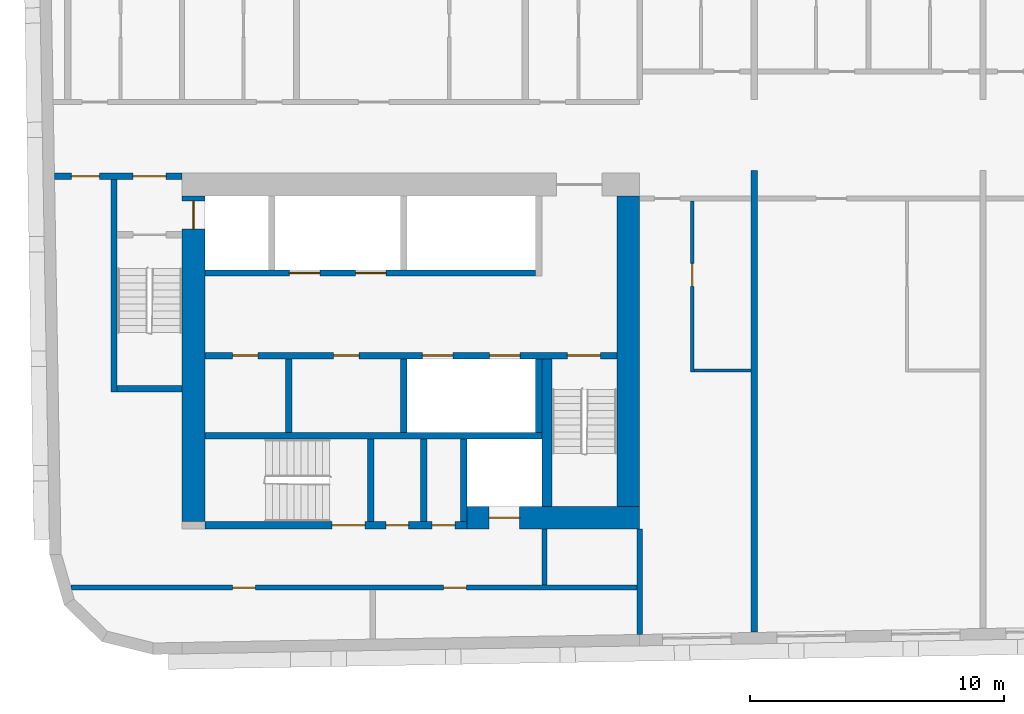
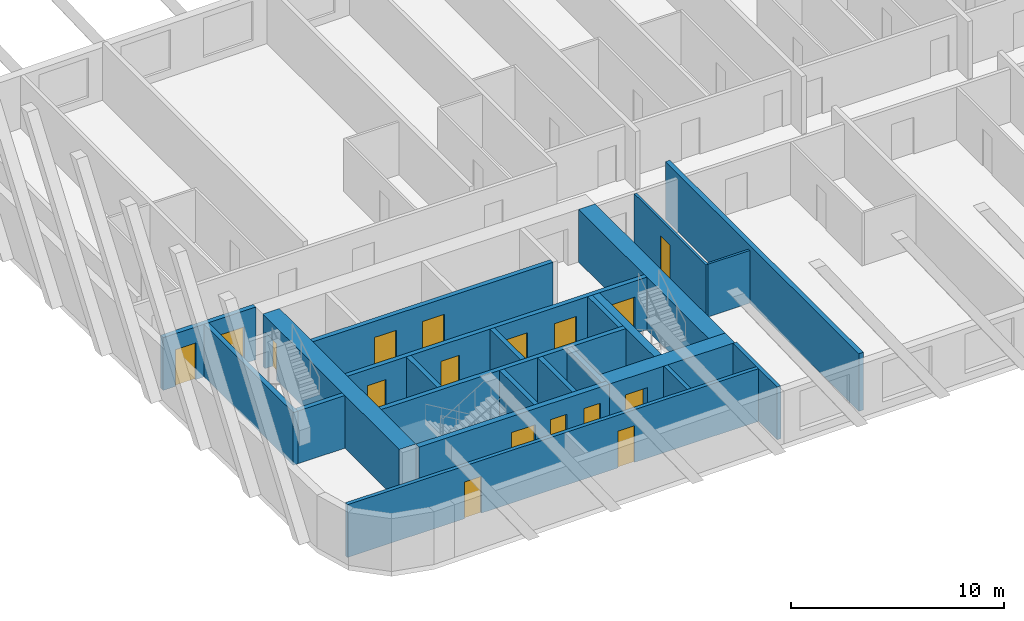
# One storey, part 2 of 12: 23 walls, 17 doors, 17 openings.
"""IFC4 building model written with IfcOpenShell, lengths in metres."""

from ifc_helpers import new_model, si_unit, direction, frame, frame_2d, origin, place, context, subcontext, project, spatial, rectangle, extrude, material, layer, layer_set, type_object, element, fill, save


model = new_model("IFC4")

# Units and contexts
model_context = context("Model", 3, precision=1e-05, world=origin(), true_north=direction((0.0, 1.0)))
body_context = subcontext(model_context, "Body", "Model", "MODEL_VIEW")
ifc_project = project(units=[si_unit("LENGTHUNIT", "METRE"), si_unit("AREAUNIT", "SQUARE_METRE"), si_unit("VOLUMEUNIT", "CUBIC_METRE"), si_unit("PLANEANGLEUNIT", "RADIAN"), si_unit("MASSUNIT", "GRAM", prefix="KILO")], contexts=[model_context])

# Site, building, storey
site_placement = place(None, origin())
site = spatial("IfcSite", under=ifc_project, at=site_placement, CompositionType="ELEMENT")
building_placement = place(site_placement, origin())
building = spatial("IfcBuilding", under=site, at=building_placement, Name="Kajstack Hotel Tower", CompositionType="ELEMENT")
storey_placement = place(building_placement, frame((0.0, 0.0, 217.699951171875)))
storey = spatial("IfcBuildingStorey", under=building, at=storey_placement, Name="L52", CompositionType="ELEMENT", Elevation=217.699951171875)

# Wall, opening, door
ifc_material_1 = material(Name="Concrete C60/75", Category="concrete")
ifc_layer_1 = layer(ifc_material_1, 0.89990234375)
ifc_layer_set_1 = layer_set([ifc_layer_1], Name="Core wall 900")
wall_type_1 = type_object("IfcWallType", Name="Core wall 900", PredefinedType="SHEAR", material=ifc_layer_set_1)
wall_1_placement = place(storey_placement, frame((-20.300048828125, -15.050048828125, 0.0), z_axis=(0.0, 0.0, 1.0), x_axis=(1.0, 0.0, 0.0)))
wall_1 = element("IfcWall", 1, at=wall_1_placement, inside=storey, type_object=wall_type_1, Name="Core wall W RS", PredefinedType="SHEAR", context=body_context, shape_type="SweptSolid", body=[
    extrude(rectangle(XDim=6.800048828125, YDim=0.89990234375, at=frame_2d((3.39990234375, 0.0))), origin(), (0.0, 0.0, 1.0), 3.02001953125),
])
opening_1_placement = place(wall_1_placement, frame((0.875, 0.0, 0.0)))
opening_1 = element("IfcOpeningElement", 2, at=opening_1_placement, cuts=wall_1, Name="Opening LD-SV1", PredefinedType="OPENING", context=body_context, shape_type="SweptSolid", body=[
    extrude(rectangle(XDim=1.199951171875, YDim=2.10009765625, at=frame_2d((0.60009765625, 1.050048828125))), frame((0.0, 0.4599609375, 0.0), z_axis=(0.0, -1.0, 0.0), x_axis=(1.0, 0.0, 0.0)), (0.0, 0.0, 1.0), 0.919921875),
])
ifc_material_2 = material(Name="Stainless steel", Category="steel")
door_type_1 = type_object("IfcDoorType", Name="Lift landing door 1200", OperationType="SLIDING_TO_LEFT", PredefinedType="DOOR", material=ifc_material_2)
door_1_placement = place(opening_1_placement, origin())
door_1 = element("IfcDoor", 3, at=door_1_placement, inside=storey, type_object=door_type_1, Name="Landing door SV1", OperationType="SLIDING_TO_LEFT", OverallHeight=2.10009765625, OverallWidth=1.199951171875, PredefinedType="DOOR", context=body_context, shape_type="SweptSolid", body=[
    extrude(rectangle(XDim=1.199951171875, YDim=2.10009765625, at=frame_2d((0.60009765625, 1.050048828125))), frame((0.0, 0.02490234375, 0.0), z_axis=(0.0, -1.0, 0.0), x_axis=(1.0, 0.0, 0.0)), (0.0, 0.0, 1.0), 0.050048828125),
])
fill(opening_1, door_1)

wall_2_placement = place(storey_placement, frame((-31.050048828125, -15.199951171875, 0.0), z_axis=(0.0, 0.0, 1.0), x_axis=(0.0, 1.0, 0.0)))
wall_2 = element("IfcWall", 4, at=wall_2_placement, inside=storey, type_object=wall_type_1, Name="Core wall W RW", PredefinedType="SHEAR", context=body_context, shape_type="SweptSolid", body=[
    extrude(rectangle(XDim=12.800048828125, YDim=0.89990234375, at=frame_2d((6.39990234375, 0.0))), origin(), (0.0, 0.0, 1.0), 3.02001953125),
])
opening_2_placement = place(wall_2_placement, frame((11.5, 0.0, 0.0)))
opening_2 = element("IfcOpeningElement", 5, at=opening_2_placement, cuts=wall_2, Name="Opening LD-FF1", PredefinedType="OPENING", context=body_context, shape_type="SweptSolid", body=[
    extrude(rectangle(XDim=1.10009765625, YDim=2.10009765625, at=frame_2d((0.550048828125, 1.050048828125))), frame((0.0, 0.4599609375, 0.0), z_axis=(0.0, -1.0, 0.0), x_axis=(1.0, 0.0, 0.0)), (0.0, 0.0, 1.0), 0.919921875),
])
door_type_2 = type_object("IfcDoorType", Name="Fire-fighting lift landing door 1100", OperationType="SLIDING_TO_LEFT", PredefinedType="DOOR", material=ifc_material_2)
door_2_placement = place(opening_2_placement, origin())
door_2 = element("IfcDoor", 6, at=door_2_placement, inside=storey, type_object=door_type_2, Name="Landing door FF1", OperationType="SLIDING_TO_RIGHT", OverallHeight=2.10009765625, OverallWidth=1.10009765625, PredefinedType="DOOR", context=body_context, shape_type="SweptSolid", body=[
    extrude(rectangle(XDim=1.10009765625, YDim=2.10009765625, at=frame_2d((0.550048828125, 1.050048828125))), frame((0.0, 0.02490234375, 0.0), z_axis=(0.0, -1.0, 0.0), x_axis=(1.0, 0.0, 0.0)), (0.0, 0.0, 1.0), 0.050048828125),
])
fill(opening_2, door_2)

# Walls
wall_3_placement = place(storey_placement, frame((-13.949951171875, -14.60009765625, 0.0), z_axis=(0.0, 0.0, 1.0), x_axis=(0.0, 1.0, 0.0)))
element("IfcWall", 7, at=wall_3_placement, inside=storey, type_object=wall_type_1, Name="Core wall W RE", PredefinedType="SHEAR", context=body_context, shape_type="SweptSolid", body=[
    extrude(rectangle(XDim=12.2001953125, YDim=0.89990234375, at=frame_2d((6.10009765625, 0.0))), origin(), (0.0, 0.0, 1.0), 3.02001953125),
])
ifc_material_3 = material(Name="Twin-frame gypsum board on steel studs, mineral wool", Category="steel")
ifc_layer_2 = layer(ifc_material_3, 0.199951171875)
ifc_layer_set_2 = layer_set([ifc_layer_2], Name="Demising wall 200")
wall_type_2 = type_object("IfcWallType", Name="Demising wall 200", PredefinedType="PARTITIONING", material=ifc_layer_set_2)
wall_4_placement = place(storey_placement, frame((-13.5, -19.64111328125, 0.0), z_axis=(0.0, 0.0, 1.0), x_axis=(0.0, 1.0, 0.0)))
element("IfcWall", 8, at=wall_4_placement, inside=storey, type_object=wall_type_2, Name="G-wall-L52-002", PredefinedType="PARTITIONING", context=body_context, shape_type="SweptSolid", body=[
    extrude(rectangle(XDim=4.14111328125, YDim=0.199951171875, at=frame_2d((2.070556640625, 0.0))), origin(), (0.0, 0.0, 1.0), 3.02001953125),
])

# Wall, opening, door
ifc_material_4 = material(Name="Gypsum board and tiled backer on steel studs", Category="steel")
ifc_layer_3 = layer(ifc_material_4, 0.125)
ifc_layer_set_3 = layer_set([ifc_layer_3], Name="En-suite wall 125")
wall_type_3 = type_object("IfcWallType", Name="En-suite wall 125", PredefinedType="PARTITIONING", material=ifc_layer_set_3)
wall_5_placement = place(storey_placement, frame((-11.43798828125, -9.324951171875, 0.0), z_axis=(0.0, 0.0, 1.0), x_axis=(0.0, 1.0, 0.0)))
wall_5 = element("IfcWall", 9, at=wall_5_placement, inside=storey, type_object=wall_type_3, Name="G-wall-L52-031", PredefinedType="PARTITIONING", context=body_context, shape_type="SweptSolid", body=[
    extrude(rectangle(XDim=6.724853515625, YDim=0.125, at=frame_2d((3.3623046875, 0.0))), origin(), (0.0, 0.0, 1.0), 3.02001953125),
])
opening_3_placement = place(wall_5_placement, frame((3.375, 0.0, 0.0)))
opening_3 = element("IfcOpeningElement", 10, at=opening_3_placement, cuts=wall_5, Name="Opening 52022", PredefinedType="OPENING", context=body_context, shape_type="SweptSolid", body=[
    extrude(rectangle(XDim=0.89990234375, YDim=2.10009765625, at=frame_2d((0.449951171875, 1.050048828125))), frame((0.0, 0.072509765625, 0.0), z_axis=(0.0, -1.0, 0.0), x_axis=(1.0, 0.0, 0.0)), (0.0, 0.0, 1.0), 0.14501953125),
])
ifc_material_5 = material(Name="Painted timber door leaf", Category="wood")
door_type_3 = type_object("IfcDoorType", Name="Room door 900", OperationType="SINGLE_SWING_LEFT", PredefinedType="DOOR", material=ifc_material_5)
door_3_placement = place(opening_3_placement, origin())
door_3 = element("IfcDoor", 11, at=door_3_placement, inside=storey, type_object=door_type_3, Name="G-door-L52-22", OperationType="SINGLE_SWING_RIGHT", OverallHeight=2.10009765625, OverallWidth=0.89990234375, PredefinedType="DOOR", context=body_context, shape_type="SweptSolid", body=[
    extrude(rectangle(XDim=0.89990234375, YDim=2.10009765625, at=frame_2d((0.449951171875, 1.050048828125))), frame((0.0, 0.02490234375, 0.0), z_axis=(0.0, -1.0, 0.0), x_axis=(1.0, 0.0, 0.0)), (0.0, 0.0, 1.0), 0.050048828125),
])
fill(opening_3, door_3)

# Walls
wall_6_placement = place(storey_placement, frame((-11.375, -9.261962890625, 0.0), z_axis=(0.0, 0.0, 1.0), x_axis=(1.0, 0.0, 0.0)))
element("IfcWall", 12, at=wall_6_placement, inside=storey, type_object=wall_type_3, Name="G-wall-L52-032", PredefinedType="PARTITIONING", context=body_context, shape_type="SweptSolid", body=[
    extrude(rectangle(XDim=2.25, YDim=0.125, at=frame_2d((1.125, 0.0))), origin(), (0.0, 0.0, 1.0), 3.02001953125),
])
ifc_material_6 = material(Name="Concrete C50/60", Category="concrete")
ifc_layer_4 = layer(ifc_material_6, 0.300048828125)
ifc_layer_set_4 = layer_set([ifc_layer_4], Name="Hoistway divider wall 300")
wall_type_4 = type_object("IfcWallType", Name="Hoistway divider wall 300", PredefinedType="SHEAR", material=ifc_layer_set_4)
wall_7_placement = place(storey_placement, frame((-22.77490234375, -11.699951171875, 0.0), z_axis=(0.0, 0.0, 1.0), x_axis=(0.0, 1.0, 0.0)))
element("IfcWall", 13, at=wall_7_placement, inside=storey, type_object=wall_type_4, Name="Core wall W BP2", PredefinedType="SHEAR", context=body_context, shape_type="SweptSolid", body=[
    extrude(rectangle(XDim=2.89990234375, YDim=0.25, at=frame_2d((1.449951171875, 0.0))), origin(), (0.0, 0.0, 1.0), 3.02001953125),
])
ifc_material_7 = material(Name="Concrete C45/55", Category="concrete")
ifc_layer_5 = layer(ifc_material_7, 0.25)
ifc_layer_set_5 = layer_set([ifc_layer_5], Name="RC cross wall 250 C45/55")
wall_type_5 = type_object("IfcWallType", Name="RC cross wall 250 C45/55", PredefinedType="SHEAR", material=ifc_layer_set_5)
wall_8_placement = place(storey_placement, frame((-9.0, -19.55029296875, 0.0), z_axis=(0.0, 0.0, 1.0), x_axis=(0.0, 1.0, 0.0)))
element("IfcWall", 14, at=wall_8_placement, inside=storey, type_object=wall_type_5, Name="S-wall-L52-04", PredefinedType="SHEAR", context=body_context, shape_type="SweptSolid", body=[
    extrude(rectangle(XDim=18.150390625, YDim=0.25, at=frame_2d((9.0751953125, 0.0))), origin(), (0.0, 0.0, 1.0), 3.300048828125),
])
ifc_material_8 = material(Name="Concrete block masonry", Category="masonry")
ifc_layer_6 = layer(ifc_material_8, 0.25)
ifc_layer_set_6 = layer_set([ifc_layer_6], Name="Riser partition 250")
wall_type_6 = type_object("IfcWallType", Name="Riser partition 250", PredefinedType="PARTITIONING", material=ifc_layer_set_6)
wall_9_placement = place(storey_placement, frame((-27.300048828125, -11.699951171875, 0.0), z_axis=(0.0, 0.0, 1.0), x_axis=(0.0, 1.0, 0.0)))
element("IfcWall", 15, at=wall_9_placement, inside=storey, type_object=wall_type_6, Name="Partition W BF0", PredefinedType="PARTITIONING", context=body_context, shape_type="SweptSolid", body=[
    extrude(rectangle(XDim=2.89990234375, YDim=0.25, at=frame_2d((1.449951171875, 0.0))), origin(), (0.0, 0.0, 1.0), 3.02001953125),
])
wall_10_placement = place(storey_placement, frame((-22.0, -15.199951171875, 0.0), z_axis=(0.0, 0.0, 1.0), x_axis=(0.0, 1.0, 0.0)))
element("IfcWall", 16, at=wall_10_placement, inside=storey, type_object=wall_type_6, Name="Partition W SZ0", PredefinedType="PARTITIONING", context=body_context, shape_type="SweptSolid", body=[
    extrude(rectangle(XDim=3.25, YDim=0.25, at=frame_2d((1.625, 0.0))), origin(), (0.0, 0.0, 1.0), 3.02001953125),
])

# Wall, openings, doors
ifc_material_9 = material(Name="Gypsum board on steel studs, mineral wool", Category="steel")
ifc_layer_7 = layer(ifc_material_9, 0.199951171875)
ifc_layer_set_7 = layer_set([ifc_layer_7], Name="Service partition 200")
wall_type_7 = type_object("IfcWallType", Name="Service partition 200", PredefinedType="PARTITIONING", material=ifc_layer_set_7)
wall_11_placement = place(storey_placement, frame((-36.515380859375, -1.625, 0.0), z_axis=(0.0, 0.0, 1.0), x_axis=(1.0, 0.0, 0.0)))
wall_11 = element("IfcWall", 17, at=wall_11_placement, inside=storey, type_object=wall_type_7, Name="Partition W SN", PredefinedType="PARTITIONING", context=body_context, shape_type="SweptSolid", body=[
    extrude(rectangle(XDim=5.015380859375, YDim=0.25, at=frame_2d((2.5078125, 0.0))), origin(), (0.0, 0.0, 1.0), 3.02001953125),
])
opening_4_placement = place(wall_11_placement, frame((3.09033203125, 0.0, 0.0)))
opening_4 = element("IfcOpeningElement", 18, at=opening_4_placement, cuts=wall_11, Name="Opening 52W08", PredefinedType="OPENING", context=body_context, shape_type="SweptSolid", body=[
    extrude(rectangle(XDim=1.300048828125, YDim=2.10009765625, at=frame_2d((0.64990234375, 1.050048828125))), frame((0.0, 0.135009765625, 0.0), z_axis=(0.0, -1.0, 0.0), x_axis=(1.0, 0.0, 0.0)), (0.0, 0.0, 1.0), 0.27001953125),
])
opening_5_placement = place(wall_11_placement, frame((0.665283203125, 0.0, 0.0)))
opening_5 = element("IfcOpeningElement", 19, at=opening_5_placement, cuts=wall_11, Name="Opening 52W10", PredefinedType="OPENING", context=body_context, shape_type="SweptSolid", body=[
    extrude(rectangle(XDim=1.10009765625, YDim=2.10009765625, at=frame_2d((0.550048828125, 1.050048828125))), frame((0.0, 0.135009765625, 0.0), z_axis=(0.0, -1.0, 0.0), x_axis=(1.0, 0.0, 0.0)), (0.0, 0.0, 1.0), 0.27001953125),
])
ifc_material_10 = material(Name="Steel leaf, fire-rated", Category="steel")
door_type_4 = type_object("IfcDoorType", Name="Fire lobby door 1300", OperationType="SINGLE_SWING_LEFT", PredefinedType="DOOR", material=ifc_material_10)
door_4_placement = place(opening_4_placement, origin())
door_4 = element("IfcDoor", 20, at=door_4_placement, inside=storey, type_object=door_type_4, Name="Door 52W08", OperationType="SINGLE_SWING_RIGHT", OverallHeight=2.10009765625, OverallWidth=1.300048828125, PredefinedType="DOOR", context=body_context, shape_type="SweptSolid", body=[
    extrude(rectangle(XDim=1.300048828125, YDim=2.10009765625, at=frame_2d((0.64990234375, 1.050048828125))), frame((0.0, 0.02490234375, 0.0), z_axis=(0.0, -1.0, 0.0), x_axis=(1.0, 0.0, 0.0)), (0.0, 0.0, 1.0), 0.050048828125),
])
fill(opening_4, door_4)
ifc_material_11 = material(Name="Timber leaf, fire-rated", Category="wood")
door_type_5 = type_object("IfcDoorType", Name="Service corridor door 1100", OperationType="SINGLE_SWING_LEFT", PredefinedType="DOOR", material=ifc_material_11)
door_5_placement = place(opening_5_placement, origin())
door_5 = element("IfcDoor", 21, at=door_5_placement, inside=storey, type_object=door_type_5, Name="Door 52W10", OperationType="SINGLE_SWING_RIGHT", OverallHeight=2.10009765625, OverallWidth=1.10009765625, PredefinedType="DOOR", context=body_context, shape_type="SweptSolid", body=[
    extrude(rectangle(XDim=1.10009765625, YDim=2.10009765625, at=frame_2d((0.550048828125, 1.050048828125))), frame((0.0, 0.02490234375, 0.0), z_axis=(0.0, -1.0, 0.0), x_axis=(1.0, 0.0, 0.0)), (0.0, 0.0, 1.0), 0.050048828125),
])
fill(opening_5, door_5)

# Wall
wall_12_placement = place(storey_placement, frame((-17.25, -17.699951171875, 0.0), z_axis=(0.0, 0.0, 1.0), x_axis=(0.0, 1.0, 0.0)))
element("IfcWall", 22, at=wall_12_placement, inside=storey, type_object=wall_type_7, Name="Partition W SCE", PredefinedType="PARTITIONING", context=body_context, shape_type="SweptSolid", body=[
    extrude(rectangle(XDim=2.199951171875, YDim=0.199951171875, at=frame_2d((1.10009765625, 0.0))), origin(), (0.0, 0.0, 1.0), 3.02001953125),
])

# Wall, openings, doors
wall_13_placement = place(storey_placement, frame((-35.86376953125, -17.800048828125, 0.0), z_axis=(0.0, 0.0, 1.0), x_axis=(1.0, 0.0, 0.0)))
wall_13 = element("IfcWall", 23, at=wall_13_placement, inside=storey, type_object=wall_type_7, Name="Partition W SLN", PredefinedType="PARTITIONING", context=body_context, shape_type="SweptSolid", body=[
    extrude(rectangle(XDim=22.263671875, YDim=0.199951171875, at=frame_2d((11.1318359375, 0.0))), origin(), (0.0, 0.0, 1.0), 3.02001953125),
])
opening_6_placement = place(wall_13_placement, frame((6.351318359375, 0.0, 0.0)))
opening_6 = element("IfcOpeningElement", 24, at=opening_6_placement, cuts=wall_13, Name="Opening 52W17", PredefinedType="OPENING", context=body_context, shape_type="SweptSolid", body=[
    extrude(rectangle(XDim=0.89990234375, YDim=2.10009765625, at=frame_2d((0.449951171875, 1.050048828125))), frame((0.0, 0.10986328125, 0.0), z_axis=(0.0, -1.0, 0.0), x_axis=(1.0, 0.0, 0.0)), (0.0, 0.0, 1.0), 0.219970703125),
])
opening_7_placement = place(wall_13_placement, frame((14.651123046875, 0.0, 0.0)))
opening_7 = element("IfcOpeningElement", 25, at=opening_7_placement, cuts=wall_13, Name="Opening 52W18", PredefinedType="OPENING", context=body_context, shape_type="SweptSolid", body=[
    extrude(rectangle(XDim=0.89990234375, YDim=2.10009765625, at=frame_2d((0.449951171875, 1.050048828125))), frame((0.0, 0.10986328125, 0.0), z_axis=(0.0, -1.0, 0.0), x_axis=(1.0, 0.0, 0.0)), (0.0, 0.0, 1.0), 0.219970703125),
])
door_type_6 = type_object("IfcDoorType", Name="Service door 900", OperationType="SINGLE_SWING_LEFT", PredefinedType="DOOR", material=ifc_material_11)
door_6_placement = place(opening_6_placement, origin())
door_6 = element("IfcDoor", 26, at=door_6_placement, inside=storey, type_object=door_type_6, Name="Door 52W17", OperationType="SINGLE_SWING_RIGHT", OverallHeight=2.10009765625, OverallWidth=0.89990234375, PredefinedType="DOOR", context=body_context, shape_type="SweptSolid", body=[
    extrude(rectangle(XDim=0.89990234375, YDim=2.10009765625, at=frame_2d((0.449951171875, 1.050048828125))), frame((0.0, 0.02490234375, 0.0), z_axis=(0.0, -1.0, 0.0), x_axis=(1.0, 0.0, 0.0)), (0.0, 0.0, 1.0), 0.050048828125),
])
fill(opening_6, door_6)
door_7_placement = place(opening_7_placement, origin())
door_7 = element("IfcDoor", 27, at=door_7_placement, inside=storey, type_object=door_type_6, Name="Door 52W18", OperationType="SINGLE_SWING_RIGHT", OverallHeight=2.10009765625, OverallWidth=0.89990234375, PredefinedType="DOOR", context=body_context, shape_type="SweptSolid", body=[
    extrude(rectangle(XDim=0.89990234375, YDim=2.10009765625, at=frame_2d((0.449951171875, 1.050048828125))), frame((0.0, 0.02490234375, 0.0), z_axis=(0.0, -1.0, 0.0), x_axis=(1.0, 0.0, 0.0)), (0.0, 0.0, 1.0), 0.050048828125),
])
fill(opening_7, door_7)

ifc_layer_8 = layer(ifc_material_6, 0.25)
ifc_layer_set_8 = layer_set([ifc_layer_8], Name="Shaft wall 250")
wall_type_8 = type_object("IfcWallType", Name="Shaft wall 250", PredefinedType="SHEAR", material=ifc_layer_set_8)
wall_14_placement = place(storey_placement, frame((-30.60009765625, -15.35009765625, 0.0), z_axis=(0.0, 0.0, 1.0), x_axis=(1.0, 0.0, 0.0)))
wall_14 = element("IfcWall", 28, at=wall_14_placement, inside=storey, type_object=wall_type_8, Name="Core wall W RSS", PredefinedType="SHEAR", context=body_context, shape_type="SweptSolid", body=[
    extrude(rectangle(XDim=10.300048828125, YDim=0.300048828125, at=frame_2d((5.14990234375, 0.0))), origin(), (0.0, 0.0, 1.0), 3.02001953125),
])
opening_8_placement = place(wall_14_placement, frame((5.0, 0.0, 0.0)))
opening_8 = element("IfcOpeningElement", 29, at=opening_8_placement, cuts=wall_14, Name="Opening 52W12", PredefinedType="OPENING", context=body_context, shape_type="SweptSolid", body=[
    extrude(rectangle(XDim=1.300048828125, YDim=2.10009765625, at=frame_2d((0.64990234375, 1.050048828125))), frame((0.0, 0.159912109375, 0.0), z_axis=(0.0, -1.0, 0.0), x_axis=(1.0, 0.0, 0.0)), (0.0, 0.0, 1.0), 0.320068359375),
])
opening_9_placement = place(wall_14_placement, frame((7.112548828125, 0.0, 0.0)))
opening_9 = element("IfcOpeningElement", 30, at=opening_9_placement, cuts=wall_14, Name="Opening 52W13", PredefinedType="OPENING", context=body_context, shape_type="SweptSolid", body=[
    extrude(rectangle(XDim=0.89990234375, YDim=2.10009765625, at=frame_2d((0.449951171875, 1.050048828125))), frame((0.0, 0.159912109375, 0.0), z_axis=(0.0, -1.0, 0.0), x_axis=(1.0, 0.0, 0.0)), (0.0, 0.0, 1.0), 0.320068359375),
])
opening_10_placement = place(wall_14_placement, frame((8.9375, 0.0, 0.0)))
opening_10 = element("IfcOpeningElement", 31, at=opening_10_placement, cuts=wall_14, Name="Opening 52W14", PredefinedType="OPENING", context=body_context, shape_type="SweptSolid", body=[
    extrude(rectangle(XDim=0.89990234375, YDim=2.10009765625, at=frame_2d((0.449951171875, 1.050048828125))), frame((0.0, 0.159912109375, 0.0), z_axis=(0.0, -1.0, 0.0), x_axis=(1.0, 0.0, 0.0)), (0.0, 0.0, 1.0), 0.320068359375),
])
door_8_placement = place(opening_9_placement, origin())
door_8 = element("IfcDoor", 32, at=door_8_placement, inside=storey, type_object=door_type_6, Name="Door 52W13", OperationType="SINGLE_SWING_LEFT", OverallHeight=2.10009765625, OverallWidth=0.89990234375, PredefinedType="DOOR", context=body_context, shape_type="SweptSolid", body=[
    extrude(rectangle(XDim=0.89990234375, YDim=2.10009765625, at=frame_2d((0.449951171875, 1.050048828125))), frame((0.0, 0.02490234375, 0.0), z_axis=(0.0, -1.0, 0.0), x_axis=(1.0, 0.0, 0.0)), (0.0, 0.0, 1.0), 0.050048828125),
])
fill(opening_9, door_8)
door_9_placement = place(opening_10_placement, origin())
door_9 = element("IfcDoor", 33, at=door_9_placement, inside=storey, type_object=door_type_6, Name="Door 52W14", OperationType="SINGLE_SWING_LEFT", OverallHeight=2.10009765625, OverallWidth=0.89990234375, PredefinedType="DOOR", context=body_context, shape_type="SweptSolid", body=[
    extrude(rectangle(XDim=0.89990234375, YDim=2.10009765625, at=frame_2d((0.449951171875, 1.050048828125))), frame((0.0, 0.02490234375, 0.0), z_axis=(0.0, -1.0, 0.0), x_axis=(1.0, 0.0, 0.0)), (0.0, 0.0, 1.0), 0.050048828125),
])
fill(opening_10, door_9)
door_type_7 = type_object("IfcDoorType", Name="Stair door 1300", OperationType="SINGLE_SWING_LEFT", PredefinedType="DOOR", material=ifc_material_10)
door_10_placement = place(opening_8_placement, origin())
door_10 = element("IfcDoor", 34, at=door_10_placement, inside=storey, type_object=door_type_7, Name="Door 52W12", OperationType="SINGLE_SWING_RIGHT", OverallHeight=2.10009765625, OverallWidth=1.300048828125, PredefinedType="DOOR", context=body_context, shape_type="SweptSolid", body=[
    extrude(rectangle(XDim=1.300048828125, YDim=2.10009765625, at=frame_2d((0.64990234375, 1.050048828125))), frame((0.0, 0.02490234375, 0.0), z_axis=(0.0, -1.0, 0.0), x_axis=(1.0, 0.0, 0.0)), (0.0, 0.0, 1.0), 0.050048828125),
])
fill(opening_8, door_10)

wall_15_placement = place(storey_placement, frame((-30.60009765625, -5.425048828125, 0.0), z_axis=(0.0, 0.0, 1.0), x_axis=(1.0, 0.0, 0.0)))
wall_15 = element("IfcWall", 35, at=wall_15_placement, inside=storey, type_object=wall_type_8, Name="Core wall W FA", PredefinedType="SHEAR", context=body_context, shape_type="SweptSolid", body=[
    extrude(rectangle(XDim=13.0, YDim=0.25, at=frame_2d((6.5, 0.0))), origin(), (0.0, 0.0, 1.0), 3.02001953125),
])
opening_11_placement = place(wall_15_placement, frame((3.324951171875, 0.0, 0.0)))
opening_11 = element("IfcOpeningElement", 36, at=opening_11_placement, cuts=wall_15, Name="Opening LD-MR3", PredefinedType="OPENING", context=body_context, shape_type="SweptSolid", body=[
    extrude(rectangle(XDim=1.199951171875, YDim=2.10009765625, at=frame_2d((0.60009765625, 1.050048828125))), frame((0.0, 0.135009765625, 0.0), z_axis=(0.0, -1.0, 0.0), x_axis=(1.0, 0.0, 0.0)), (0.0, 0.0, 1.0), 0.27001953125),
])
opening_12_placement = place(wall_15_placement, frame((5.925048828125, 0.0, 0.0)))
opening_12 = element("IfcOpeningElement", 37, at=opening_12_placement, cuts=wall_15, Name="Opening LD-MR4", PredefinedType="OPENING", context=body_context, shape_type="SweptSolid", body=[
    extrude(rectangle(XDim=1.199951171875, YDim=2.10009765625, at=frame_2d((0.60009765625, 1.050048828125))), frame((0.0, 0.135009765625, 0.0), z_axis=(0.0, -1.0, 0.0), x_axis=(1.0, 0.0, 0.0)), (0.0, 0.0, 1.0), 0.27001953125),
])
door_11_placement = place(opening_11_placement, origin())
door_11 = element("IfcDoor", 38, at=door_11_placement, inside=storey, type_object=door_type_1, Name="Landing door MR3", OperationType="SLIDING_TO_RIGHT", OverallHeight=2.10009765625, OverallWidth=1.199951171875, PredefinedType="DOOR", context=body_context, shape_type="SweptSolid", body=[
    extrude(rectangle(XDim=1.199951171875, YDim=2.10009765625, at=frame_2d((0.60009765625, 1.050048828125))), frame((0.0, 0.02490234375, 0.0), z_axis=(0.0, -1.0, 0.0), x_axis=(1.0, 0.0, 0.0)), (0.0, 0.0, 1.0), 0.050048828125),
])
fill(opening_11, door_11)
door_12_placement = place(opening_12_placement, origin())
door_12 = element("IfcDoor", 39, at=door_12_placement, inside=storey, type_object=door_type_1, Name="Landing door MR4", OperationType="SLIDING_TO_RIGHT", OverallHeight=2.10009765625, OverallWidth=1.199951171875, PredefinedType="DOOR", context=body_context, shape_type="SweptSolid", body=[
    extrude(rectangle(XDim=1.199951171875, YDim=2.10009765625, at=frame_2d((0.60009765625, 1.050048828125))), frame((0.0, 0.02490234375, 0.0), z_axis=(0.0, -1.0, 0.0), x_axis=(1.0, 0.0, 0.0)), (0.0, 0.0, 1.0), 0.050048828125),
])
fill(opening_12, door_12)

wall_16_placement = place(storey_placement, frame((-30.60009765625, -8.675048828125, 0.0), z_axis=(0.0, 0.0, 1.0), x_axis=(1.0, 0.0, 0.0)))
wall_16 = element("IfcWall", 40, at=wall_16_placement, inside=storey, type_object=wall_type_8, Name="Core wall W FB", PredefinedType="SHEAR", context=body_context, shape_type="SweptSolid", body=[
    extrude(rectangle(XDim=16.2001953125, YDim=0.25, at=frame_2d((8.10009765625, 0.0))), origin(), (0.0, 0.0, 1.0), 3.02001953125),
])
opening_13_placement = place(wall_16_placement, frame((8.550048828125, 0.0, 0.0)))
opening_13 = element("IfcOpeningElement", 41, at=opening_13_placement, cuts=wall_16, Name="Opening LD-MR1", PredefinedType="OPENING", context=body_context, shape_type="SweptSolid", body=[
    extrude(rectangle(XDim=1.199951171875, YDim=2.10009765625, at=frame_2d((0.60009765625, 1.050048828125))), frame((0.0, 0.135009765625, 0.0), z_axis=(0.0, -1.0, 0.0), x_axis=(1.0, 0.0, 0.0)), (0.0, 0.0, 1.0), 0.27001953125),
])
opening_14_placement = place(wall_16_placement, frame((11.199951171875, 0.0, 0.0)))
opening_14 = element("IfcOpeningElement", 42, at=opening_14_placement, cuts=wall_16, Name="Opening LD-MR2", PredefinedType="OPENING", context=body_context, shape_type="SweptSolid", body=[
    extrude(rectangle(XDim=1.199951171875, YDim=2.10009765625, at=frame_2d((0.60009765625, 1.050048828125))), frame((0.0, 0.135009765625, 0.0), z_axis=(0.0, -1.0, 0.0), x_axis=(1.0, 0.0, 0.0)), (0.0, 0.0, 1.0), 0.27001953125),
])
opening_15_placement = place(wall_16_placement, frame((14.25, 0.0, 0.0)))
opening_15 = element("IfcOpeningElement", 43, at=opening_15_placement, cuts=wall_16, Name="Opening 52W11", PredefinedType="OPENING", context=body_context, shape_type="SweptSolid", body=[
    extrude(rectangle(XDim=1.300048828125, YDim=2.10009765625, at=frame_2d((0.64990234375, 1.050048828125))), frame((0.0, 0.135009765625, 0.0), z_axis=(0.0, -1.0, 0.0), x_axis=(1.0, 0.0, 0.0)), (0.0, 0.0, 1.0), 0.27001953125),
])
opening_16_placement = place(wall_16_placement, frame((1.08740234375, 0.0, 0.0)))
opening_16 = element("IfcOpeningElement", 44, at=opening_16_placement, cuts=wall_16, Name="Opening 52W15", PredefinedType="OPENING", context=body_context, shape_type="SweptSolid", body=[
    extrude(rectangle(XDim=1.0, YDim=2.10009765625, at=frame_2d((0.5, 1.050048828125))), frame((0.0, 0.135009765625, 0.0), z_axis=(0.0, -1.0, 0.0), x_axis=(1.0, 0.0, 0.0)), (0.0, 0.0, 1.0), 0.27001953125),
])
opening_17_placement = place(wall_16_placement, frame((5.0625, 0.0, 0.0)))
opening_17 = element("IfcOpeningElement", 45, at=opening_17_placement, cuts=wall_16, Name="Opening 52W16", PredefinedType="OPENING", context=body_context, shape_type="SweptSolid", body=[
    extrude(rectangle(XDim=1.0, YDim=2.10009765625, at=frame_2d((0.5, 1.050048828125))), frame((0.0, 0.135009765625, 0.0), z_axis=(0.0, -1.0, 0.0), x_axis=(1.0, 0.0, 0.0)), (0.0, 0.0, 1.0), 0.27001953125),
])
door_13_placement = place(opening_13_placement, origin())
door_13 = element("IfcDoor", 46, at=door_13_placement, inside=storey, type_object=door_type_1, Name="Landing door MR1", OperationType="SLIDING_TO_LEFT", OverallHeight=2.10009765625, OverallWidth=1.199951171875, PredefinedType="DOOR", context=body_context, shape_type="SweptSolid", body=[
    extrude(rectangle(XDim=1.199951171875, YDim=2.10009765625, at=frame_2d((0.60009765625, 1.050048828125))), frame((0.0, 0.02490234375, 0.0), z_axis=(0.0, -1.0, 0.0), x_axis=(1.0, 0.0, 0.0)), (0.0, 0.0, 1.0), 0.050048828125),
])
fill(opening_13, door_13)
door_14_placement = place(opening_14_placement, origin())
door_14 = element("IfcDoor", 47, at=door_14_placement, inside=storey, type_object=door_type_1, Name="Landing door MR2", OperationType="SLIDING_TO_RIGHT", OverallHeight=2.10009765625, OverallWidth=1.199951171875, PredefinedType="DOOR", context=body_context, shape_type="SweptSolid", body=[
    extrude(rectangle(XDim=1.199951171875, YDim=2.10009765625, at=frame_2d((0.60009765625, 1.050048828125))), frame((0.0, 0.02490234375, 0.0), z_axis=(0.0, -1.0, 0.0), x_axis=(1.0, 0.0, 0.0)), (0.0, 0.0, 1.0), 0.050048828125),
])
fill(opening_14, door_14)
door_type_8 = type_object("IfcDoorType", Name="Service room door 1000", OperationType="SINGLE_SWING_LEFT", PredefinedType="DOOR", material=ifc_material_11)
door_15_placement = place(opening_16_placement, origin())
door_15 = element("IfcDoor", 48, at=door_15_placement, inside=storey, type_object=door_type_8, Name="Door 52W15", OperationType="SINGLE_SWING_RIGHT", OverallHeight=2.10009765625, OverallWidth=1.0, PredefinedType="DOOR", context=body_context, shape_type="SweptSolid", body=[
    extrude(rectangle(XDim=1.0, YDim=2.10009765625, at=frame_2d((0.5, 1.050048828125))), frame((0.0, 0.02490234375, 0.0), z_axis=(0.0, -1.0, 0.0), x_axis=(1.0, 0.0, 0.0)), (0.0, 0.0, 1.0), 0.050048828125),
])
fill(opening_16, door_15)
door_16_placement = place(opening_17_placement, origin())
door_16 = element("IfcDoor", 49, at=door_16_placement, inside=storey, type_object=door_type_8, Name="Door 52W16", OperationType="SINGLE_SWING_RIGHT", OverallHeight=2.10009765625, OverallWidth=1.0, PredefinedType="DOOR", context=body_context, shape_type="SweptSolid", body=[
    extrude(rectangle(XDim=1.0, YDim=2.10009765625, at=frame_2d((0.5, 1.050048828125))), frame((0.0, 0.02490234375, 0.0), z_axis=(0.0, -1.0, 0.0), x_axis=(1.0, 0.0, 0.0)), (0.0, 0.0, 1.0), 0.050048828125),
])
fill(opening_17, door_16)
door_17_placement = place(opening_15_placement, origin())
door_17 = element("IfcDoor", 50, at=door_17_placement, inside=storey, type_object=door_type_7, Name="Door 52W11", OperationType="SINGLE_SWING_RIGHT", OverallHeight=2.10009765625, OverallWidth=1.300048828125, PredefinedType="DOOR", context=body_context, shape_type="SweptSolid", body=[
    extrude(rectangle(XDim=1.300048828125, YDim=2.10009765625, at=frame_2d((0.64990234375, 1.050048828125))), frame((0.0, 0.02490234375, 0.0), z_axis=(0.0, -1.0, 0.0), x_axis=(1.0, 0.0, 0.0)), (0.0, 0.0, 1.0), 0.050048828125),
])
fill(opening_15, door_17)

# Walls
wall_17_placement = place(storey_placement, frame((-30.60009765625, -11.824951171875, 0.0), z_axis=(0.0, 0.0, 1.0), x_axis=(1.0, 0.0, 0.0)))
element("IfcWall", 51, at=wall_17_placement, inside=storey, type_object=wall_type_8, Name="Core wall W RB", PredefinedType="SHEAR", context=body_context, shape_type="SweptSolid", body=[
    extrude(rectangle(XDim=13.25, YDim=0.25, at=frame_2d((6.625, 0.0))), origin(), (0.0, 0.0, 1.0), 3.02001953125),
])
wall_18_placement = place(storey_placement, frame((-17.47509765625, -11.699951171875, 0.0), z_axis=(0.0, 0.0, 1.0), x_axis=(0.0, 1.0, 0.0)))
element("IfcWall", 52, at=wall_18_placement, inside=storey, type_object=wall_type_8, Name="Core wall W BE", PredefinedType="SHEAR", context=body_context, shape_type="SweptSolid", body=[
    extrude(rectangle(XDim=2.89990234375, YDim=0.25, at=frame_2d((1.449951171875, 0.0))), origin(), (0.0, 0.0, 1.0), 3.02001953125),
])
wall_19_placement = place(storey_placement, frame((-20.425048828125, -15.199951171875, 0.0), z_axis=(0.0, 0.0, 1.0), x_axis=(0.0, 1.0, 0.0)))
element("IfcWall", 53, at=wall_19_placement, inside=storey, type_object=wall_type_8, Name="Core wall W SVW", PredefinedType="SHEAR", context=body_context, shape_type="SweptSolid", body=[
    extrude(rectangle(XDim=3.25, YDim=0.25, at=frame_2d((1.625, 0.0))), origin(), (0.0, 0.0, 1.0), 3.02001953125),
])
ifc_material_12 = material(Name="Concrete C40/50", Category="concrete")
ifc_layer_9 = layer(ifc_material_12, 0.25)
ifc_layer_set_9 = layer_set([ifc_layer_9], Name="Stair enclosure wall 250")
wall_type_9 = type_object("IfcWallType", Name="Stair enclosure wall 250", PredefinedType="SHEAR", material=ifc_layer_set_9)
wall_20_placement = place(storey_placement, frame((-34.175048828125, -10.10009765625, 0.0), z_axis=(0.0, 0.0, 1.0), x_axis=(0.0, 1.0, 0.0)))
element("IfcWall", 54, at=wall_20_placement, inside=storey, type_object=wall_type_9, Name="Core wall W W1W", PredefinedType="SHEAR", context=body_context, shape_type="SweptSolid", body=[
    extrude(rectangle(XDim=8.35009765625, YDim=0.25, at=frame_2d((4.175048828125, 0.0))), origin(), (0.0, 0.0, 1.0), 3.02001953125),
])
wall_21_placement = place(storey_placement, frame((-34.050048828125, -9.97509765625, 0.0), z_axis=(0.0, 0.0, 1.0), x_axis=(1.0, 0.0, 0.0)))
element("IfcWall", 55, at=wall_21_placement, inside=storey, type_object=wall_type_9, Name="Core wall W W1S", PredefinedType="SHEAR", context=body_context, shape_type="SweptSolid", body=[
    extrude(rectangle(XDim=2.550048828125, YDim=0.25, at=frame_2d((1.27490234375, 0.0))), origin(), (0.0, 0.0, 1.0), 3.02001953125),
])
ifc_layer_10 = layer(ifc_material_6, 0.35009765625)
ifc_layer_set_10 = layer_set([ifc_layer_10], Name="Stair enclosure wall 350")
wall_type_10 = type_object("IfcWallType", Name="Stair enclosure wall 350", PredefinedType="SHEAR", material=ifc_layer_set_10)
wall_22_placement = place(storey_placement, frame((-24.074951171875, -15.199951171875, 0.0), z_axis=(0.0, 0.0, 1.0), x_axis=(0.0, 1.0, 0.0)))
element("IfcWall", 56, at=wall_22_placement, inside=storey, type_object=wall_type_10, Name="Core wall W W3E", PredefinedType="SHEAR", context=body_context, shape_type="SweptSolid", body=[
    extrude(rectangle(XDim=3.25, YDim=0.25, at=frame_2d((1.625, 0.0))), origin(), (0.0, 0.0, 1.0), 3.02001953125),
])
ifc_layer_11 = layer(ifc_material_6, 0.39990234375)
ifc_layer_set_11 = layer_set([ifc_layer_11], Name="Stair wall 400")
wall_type_11 = type_object("IfcWallType", Name="Stair wall 400", PredefinedType="SHEAR", material=ifc_layer_set_11)
wall_23_placement = place(storey_placement, frame((-17.14990234375, -14.60009765625, 0.0), z_axis=(0.0, 0.0, 1.0), x_axis=(0.0, 1.0, 0.0)))
element("IfcWall", 57, at=wall_23_placement, inside=storey, type_object=wall_type_11, Name="Core wall W WW2", PredefinedType="SHEAR", context=body_context, shape_type="SweptSolid", body=[
    extrude(rectangle(XDim=5.800048828125, YDim=0.39990234375, at=frame_2d((2.89990234375, 0.0))), origin(), (0.0, 0.0, 1.0), 3.02001953125),
])

save(model, "model.ifc")
